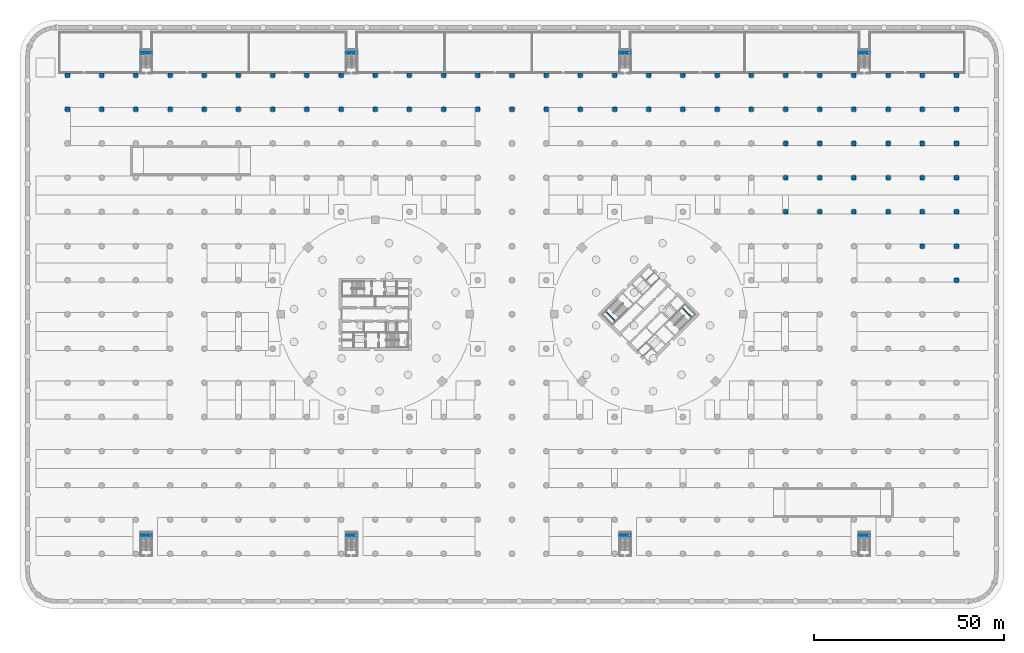
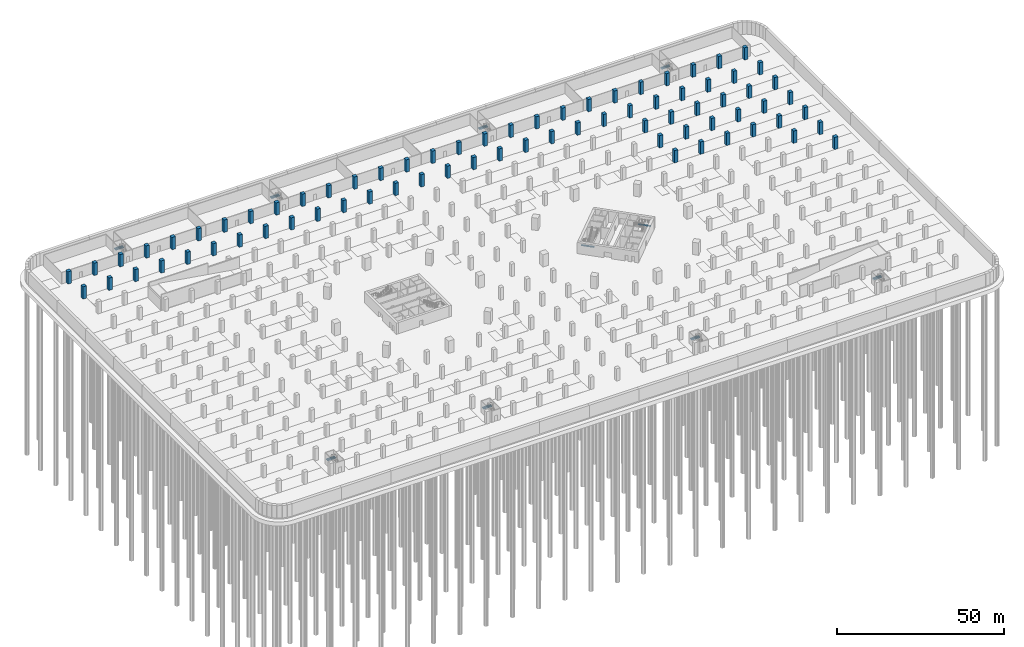
# One storey, part 6 of 39: 75 columns, 18 beams.
"""IFC4 building model written with IfcOpenShell, lengths in metres."""

from ifc_helpers import new_model, si_unit, direction, frame, origin, origin_2d, place, context, subcontext, project, spatial, rectangle, extrude, material, material_profile, profile_set, type_object, element, save


model = new_model("IFC4")

# Units and contexts
model_context = context("Model", 3, precision=1e-05, world=origin(), true_north=direction((0.0, 1.0)))
body_context = subcontext(model_context, "Body", "Model", "MODEL_VIEW")
ifc_project = project(units=[si_unit("LENGTHUNIT", "METRE"), si_unit("AREAUNIT", "SQUARE_METRE"), si_unit("VOLUMEUNIT", "CUBIC_METRE"), si_unit("PLANEANGLEUNIT", "RADIAN"), si_unit("MASSUNIT", "GRAM", prefix="KILO")], contexts=[model_context])

# Site, building, storey
site_placement = place(None, origin())
site = spatial("IfcSite", under=ifc_project, at=site_placement, CompositionType="ELEMENT")
building_placement = place(site_placement, origin())
building = spatial("IfcBuilding", under=site, at=building_placement, Name="Ogive Gate Towers", CompositionType="ELEMENT")
storey_placement = place(building_placement, frame((0.0, 0.0, -9.0)))
storey = spatial("IfcBuildingStorey", under=building, at=storey_placement, Name="B2", CompositionType="ELEMENT", Elevation=-9.0)

# Columns
ifc_material_1 = material(Name="Concrete C50/60", Category="concrete")
ifc_material_profile_1 = material_profile(ifc_material_1, rectangle(XDim=1.199951171875, YDim=1.199951171875, at=origin_2d()), Name="RC 1200x1200")
ifc_profile_set_1 = profile_set([ifc_material_profile_1], Name="Concrete C50/60")
column_type = type_object("IfcColumnType", Name="Column RC 1200x1200", PredefinedType="COLUMN", material=ifc_profile_set_1)
for number, where, z_axis, x_axis, name in (
    (1, (-117.0, 54.0, 0.0), (0.0, 0.0, 1.0), (1.0, 0.0, 0.0), "BS/B2/SCL014"),
    (2, (-117.0, 63.0, 0.0), (0.0, 0.0, 1.0), (1.0, 0.0, 0.0), "BS/B2/SCL015"),
    (3, (-108.0, 54.0, 0.0), (0.0, 0.0, 1.0), (1.0, 0.0, 0.0), "BS/B2/SCL029"),
    (4, (-108.0, 63.0, 0.0), (0.0, 0.0, 1.0), (1.0, 0.0, 0.0), "BS/B2/SCL030"),
    (5, (-99.0, 54.0, 0.0), (0.0, 0.0, 1.0), (1.0, 0.0, 0.0), "BS/B2/SCL044"),
    (6, (-99.0, 63.0, 0.0), (0.0, 0.0, 1.0), (1.0, 0.0, 0.0), "BS/B2/SCL045"),
    (7, (-90.0, 54.0, 0.0), (0.0, 0.0, 1.0), (1.0, 0.0, 0.0), "BS/B2/SCL059"),
    (8, (-90.0, 63.0, 0.0), (0.0, 0.0, 1.0), (1.0, 0.0, 0.0), "BS/B2/SCL060"),
    (9, (-81.0, 54.0, 0.0), (0.0, 0.0, 1.0), (1.0, 0.0, 0.0), "BS/B2/SCL074"),
    (10, (-81.0, 63.0, 0.0), (0.0, 0.0, 1.0), (1.0, 0.0, 0.0), "BS/B2/SCL075"),
    (11, (-72.0, 54.0, 0.0), (0.0, 0.0, 1.0), (1.0, 0.0, 0.0), "BS/B2/SCL089"),
    (12, (-72.0, 63.0, 0.0), (0.0, 0.0, 1.0), (1.0, 0.0, 0.0), "BS/B2/SCL090"),
    (13, (-63.0, 54.0, 0.0), (0.0, 0.0, 1.0), (1.0, 0.0, 0.0), "BS/B2/SCL103"),
    (14, (-63.0, 63.0, 0.0), (0.0, 0.0, 1.0), (1.0, 0.0, 0.0), "BS/B2/SCL104"),
    (15, (-54.0, 54.0, 0.0), (0.0, 0.0, 1.0), (1.0, 0.0, 0.0), "BS/B2/SCL113"),
    (16, (-54.0, 63.0, 0.0), (0.0, 0.0, 1.0), (1.0, 0.0, 0.0), "BS/B2/SCL114"),
    (17, (-45.0, 54.0, 0.0), (0.0, 0.0, 1.0), (1.0, 0.0, 0.0), "BS/B2/SCL123"),
    (18, (-45.0, 63.0, 0.0), (0.0, 0.0, 1.0), (1.0, 0.0, 0.0), "BS/B2/SCL124"),
    (19, (-36.0, 54.0, 0.0), (0.0, 0.0, 1.0), (1.0, 0.0, 0.0), "BS/B2/SCL131"),
    (20, (-36.0, 63.0, 0.0), (0.0, 0.0, 1.0), (1.0, 0.0, 0.0), "BS/B2/SCL132"),
    (21, (-27.0, 54.0, 0.0), (0.0, 0.0, 1.0), (1.0, 0.0, 0.0), "BS/B2/SCL141"),
    (22, (-27.0, 63.0, 0.0), (0.0, 0.0, 1.0), (1.0, 0.0, 0.0), "BS/B2/SCL142"),
    (23, (-18.0, 54.0, 0.0), (0.0, 0.0, 1.0), (1.0, 0.0, 0.0), "BS/B2/SCL151"),
    (24, (-18.0, 63.0, 0.0), (0.0, 0.0, 1.0), (1.0, 0.0, 0.0), "BS/B2/SCL152"),
    (25, (-9.0, 54.0, 0.0), (0.0, 0.0, 1.0), (1.0, 0.0, 0.0), "BS/B2/SCL165"),
    (26, (-9.0, 63.0, 0.0), (0.0, 0.0, 1.0), (1.0, 0.0, 0.0), "BS/B2/SCL166"),
    (27, (0.0, 54.0, 0.0), (0.0, 0.0, 1.0), (1.0, 0.0, 0.0), "BS/B2/SCL180"),
    (28, (0.0, 63.0, 0.0), (0.0, 0.0, 1.0), (1.0, 0.0, 0.0), "BS/B2/SCL181"),
    (29, (9.0, 54.0, 0.0), (0.0, 0.0, 1.0), (1.0, 0.0, 0.0), "BS/B2/SCL194"),
    (30, (9.0, 63.0, 0.0), (0.0, 0.0, 1.0), (1.0, 0.0, 0.0), "BS/B2/SCL195"),
    (31, (18.0, 54.0, 0.0), (0.0, 0.0, 1.0), (1.0, 0.0, 0.0), "BS/B2/SCL204"),
    (32, (18.0, 63.0, 0.0), (0.0, 0.0, 1.0), (1.0, 0.0, 0.0), "BS/B2/SCL205"),
    (33, (27.0, 54.0, 0.0), (0.0, 0.0, 1.0), (1.0, 0.0, 0.0), "BS/B2/SCL214"),
    (34, (27.0, 63.0, 0.0), (0.0, 0.0, 1.0), (1.0, 0.0, 0.0), "BS/B2/SCL215"),
    (35, (36.0, 54.0, 0.0), (0.0, 0.0, 1.0), (1.0, 0.0, 0.0), "BS/B2/SCL222"),
    (36, (36.0, 63.0, 0.0), (0.0, 0.0, 1.0), (1.0, 0.0, 0.0), "BS/B2/SCL223"),
    (37, (45.0, 54.0, 0.0), (0.0, 0.0, 1.0), (1.0, 0.0, 0.0), "BS/B2/SCL232"),
    (38, (45.0, 63.0, 0.0), (0.0, 0.0, 1.0), (1.0, 0.0, 0.0), "BS/B2/SCL233"),
    (39, (54.0, 54.0, 0.0), (0.0, 0.0, 1.0), (1.0, 0.0, 0.0), "BS/B2/SCL242"),
    (40, (54.0, 63.0, 0.0), (0.0, 0.0, 1.0), (1.0, 0.0, 0.0), "BS/B2/SCL243"),
    (41, (63.0, 54.0, 0.0), (0.0, 0.0, 1.0), (1.0, 0.0, 0.0), "BS/B2/SCL256"),
    (42, (63.0, 63.0, 0.0), (0.0, 0.0, 1.0), (1.0, 0.0, 0.0), "BS/B2/SCL257"),
    (43, (72.0, 27.0, 0.0), (0.0, 0.0, 1.0), (1.0, 0.0, 0.0), "BS/B2/SCL268"),
    (44, (72.0, 36.0, 0.0), (0.0, 0.0, 1.0), (1.0, 0.0, 0.0), "BS/B2/SCL269"),
    (45, (72.0, 45.0, 0.0), (0.0, 0.0, 1.0), (1.0, 0.0, 0.0), "BS/B2/SCL270"),
    (46, (72.0, 54.0, 0.0), (0.0, 0.0, 1.0), (1.0, 0.0, 0.0), "BS/B2/SCL271"),
    (47, (72.0, 63.0, 0.0), (0.0, 0.0, 1.0), (1.0, 0.0, 0.0), "BS/B2/SCL272"),
    (48, (81.0, 27.0, 0.0), (0.0, 0.0, 1.0), (1.0, 0.0, 0.0), "BS/B2/SCL283"),
    (49, (81.0, 36.0, 0.0), (0.0, 0.0, 1.0), (1.0, 0.0, 0.0), "BS/B2/SCL284"),
    (50, (81.0, 45.0, 0.0), (0.0, 0.0, 1.0), (1.0, 0.0, 0.0), "BS/B2/SCL285"),
    (51, (81.0, 54.0, 0.0), (0.0, 0.0, 1.0), (1.0, 0.0, 0.0), "BS/B2/SCL286"),
    (52, (81.0, 63.0, 0.0), (0.0, 0.0, 1.0), (1.0, 0.0, 0.0), "BS/B2/SCL287"),
    (53, (90.0, 27.0, 0.0), (0.0, 0.0, 1.0), (1.0, 0.0, 0.0), "BS/B2/SCL298"),
    (54, (90.0, 36.0, 0.0), (0.0, 0.0, 1.0), (1.0, 0.0, 0.0), "BS/B2/SCL299"),
    (55, (90.0, 45.0, 0.0), (0.0, 0.0, 1.0), (1.0, 0.0, 0.0), "BS/B2/SCL300"),
    (56, (90.0, 54.0, 0.0), (0.0, 0.0, 1.0), (1.0, 0.0, 0.0), "BS/B2/SCL301"),
    (57, (90.0, 63.0, 0.0), (0.0, 0.0, 1.0), (1.0, 0.0, 0.0), "BS/B2/SCL302"),
    (58, (99.0, 27.0, 0.0), (0.0, 0.0, 1.0), (1.0, 0.0, 0.0), "BS/B2/SCL313"),
    (59, (99.0, 36.0, 0.0), (0.0, 0.0, 1.0), (1.0, 0.0, 0.0), "BS/B2/SCL314"),
    (60, (99.0, 45.0, 0.0), (0.0, 0.0, 1.0), (1.0, 0.0, 0.0), "BS/B2/SCL315"),
    (61, (99.0, 54.0, 0.0), (0.0, 0.0, 1.0), (1.0, 0.0, 0.0), "BS/B2/SCL316"),
    (62, (99.0, 63.0, 0.0), (0.0, 0.0, 1.0), (1.0, 0.0, 0.0), "BS/B2/SCL317"),
    (63, (108.0, 18.0, 0.0), (0.0, 0.0, 1.0), (1.0, 0.0, 0.0), "BS/B2/SCL327"),
    (64, (108.0, 27.0, 0.0), (0.0, 0.0, 1.0), (1.0, 0.0, 0.0), "BS/B2/SCL328"),
    (65, (108.0, 36.0, 0.0), (0.0, 0.0, 1.0), (1.0, 0.0, 0.0), "BS/B2/SCL329"),
    (66, (108.0, 45.0, 0.0), (0.0, 0.0, 1.0), (1.0, 0.0, 0.0), "BS/B2/SCL330"),
    (67, (108.0, 54.0, 0.0), (0.0, 0.0, 1.0), (1.0, 0.0, 0.0), "BS/B2/SCL331"),
    (68, (108.0, 63.0, 0.0), (0.0, 0.0, 1.0), (1.0, 0.0, 0.0), "BS/B2/SCL332"),
    (69, (117.0, 9.0, 0.0), (0.0, 0.0, 1.0), (1.0, 0.0, 0.0), "BS/B2/SCL341"),
    (70, (117.0, 18.0, 0.0), (0.0, 0.0, 1.0), (1.0, 0.0, 0.0), "BS/B2/SCL342"),
    (71, (117.0, 27.0, 0.0), (0.0, 0.0, 1.0), (1.0, 0.0, 0.0), "BS/B2/SCL343"),
    (72, (117.0, 36.0, 0.0), (0.0, 0.0, 1.0), (1.0, 0.0, 0.0), "BS/B2/SCL344"),
    (73, (117.0, 45.0, 0.0), (0.0, 0.0, 1.0), (1.0, 0.0, 0.0), "BS/B2/SCL345"),
    (74, (117.0, 54.0, 0.0), (0.0, 0.0, 1.0), (1.0, 0.0, 0.0), "BS/B2/SCL346"),
    (75, (117.0, 63.0, 0.0), (0.0, 0.0, 1.0), (1.0, 0.0, 0.0), "BS/B2/SCL347"),
):
    element("IfcColumn", number, at=place(storey_placement, frame(where, z_axis=z_axis, x_axis=x_axis)), inside=storey, type_object=column_type, Name=name, PredefinedType="COLUMN", context=body_context, shape_type="SweptSolid", body=[
        extrude(rectangle(XDim=1.199951171875, YDim=1.199951171875, at=origin_2d()), origin(), (0.0, 0.0, 1.0), 4.5),
    ])

# Beams
ifc_material_2 = material(Name="Concrete C40/50", Category="concrete")
ifc_material_profile_2 = material_profile(ifc_material_2, rectangle(XDim=0.25, YDim=0.300048828125, at=origin_2d()), Name="RC 250x300")
ifc_profile_set_2 = profile_set([ifc_material_profile_2], Name="Concrete C40/50")
beam_type_1 = type_object("IfcBeamType", Name="Landing bearer RC 250x300", PredefinedType="BEAM", material=ifc_profile_set_2)
for number, where, z_axis, x_axis, name in (
    (76, (24.5712890625, 0.875, 1.89990234375), (0.707138693938, -0.707074866995, 0.0), (0.707074866995, 0.707138693938, 0.0), "T2 B2 stair 1 landing bearer 1"),
    (77, (47.4287109375, -0.875, 1.89990234375), (-0.707138693938, 0.707074866995, 0.0), (-0.707074866995, -0.707138693938, 0.0), "T2 B2 stair 2 landing bearer 1"),
):
    element("IfcBeam", number, at=place(storey_placement, frame(where, z_axis=z_axis, x_axis=x_axis)), inside=storey, type_object=beam_type_1, Name=name, PredefinedType="BEAM", context=body_context, shape_type="SweptSolid", body=[
        extrude(rectangle(XDim=0.25, YDim=0.300048828125, at=origin_2d()), origin(), (0.0, 0.0, 1.0), 3.824951171875),
    ])
ifc_material_profile_3 = material_profile(ifc_material_2, rectangle(XDim=0.25, YDim=0.300048828125, at=origin_2d()), Name="RC 250x300")
ifc_profile_set_3 = profile_set([ifc_material_profile_3], Name="Concrete C40/50")
beam_type_2 = type_object("IfcBeamType", Name="Landing bearer RC 250x300 (stair)", PredefinedType="BEAM", material=ifc_profile_set_3)
for number, where, z_axis, x_axis, name in (
    (78, (-94.85009765625, 68.56005859375, 1.89990234375), (-1.0, 0.0, 0.0), (0.0, -1.0, 0.0), "CS1 B2 landing 1 bearer 1"),
    (79, (-94.85009765625, 69.159912109375, 1.89990234375), (-1.0, 0.0, 0.0), (0.0, -1.0, 0.0), "CS1 B2 landing 1 bearer 2"),
    (80, (-40.85009765625, 68.56005859375, 1.89990234375), (-1.0, 0.0, 0.0), (0.0, -1.0, 0.0), "CS2 B2 landing 1 bearer 1"),
    (81, (-40.85009765625, 69.159912109375, 1.89990234375), (-1.0, 0.0, 0.0), (0.0, -1.0, 0.0), "CS2 B2 landing 1 bearer 2"),
    (82, (31.14990234375, 68.56005859375, 1.89990234375), (-1.0, 0.0, 0.0), (0.0, -1.0, 0.0), "CS3 B2 landing 1 bearer 1"),
    (83, (31.14990234375, 69.159912109375, 1.89990234375), (-1.0, 0.0, 0.0), (0.0, -1.0, 0.0), "CS3 B2 landing 1 bearer 2"),
    (84, (94.14990234375, 68.56005859375, 1.89990234375), (-1.0, 0.0, 0.0), (0.0, -1.0, 0.0), "CS4 B2 landing 1 bearer 1"),
    (85, (94.14990234375, 69.159912109375, 1.89990234375), (-1.0, 0.0, 0.0), (0.0, -1.0, 0.0), "CS4 B2 landing 1 bearer 2"),
    (86, (-94.85009765625, -58.43994140625, 1.89990234375), (-1.0, 0.0, 0.0), (0.0, -1.0, 0.0), "CS5 B2 landing 1 bearer 1"),
    (87, (-94.85009765625, -57.840087890625, 1.89990234375), (-1.0, 0.0, 0.0), (0.0, -1.0, 0.0), "CS5 B2 landing 1 bearer 2"),
    (88, (-40.85009765625, -58.43994140625, 1.89990234375), (-1.0, 0.0, 0.0), (0.0, -1.0, 0.0), "CS6 B2 landing 1 bearer 1"),
    (89, (-40.85009765625, -57.840087890625, 1.89990234375), (-1.0, 0.0, 0.0), (0.0, -1.0, 0.0), "CS6 B2 landing 1 bearer 2"),
    (90, (31.14990234375, -58.43994140625, 1.89990234375), (-1.0, 0.0, 0.0), (0.0, -1.0, 0.0), "CS7 B2 landing 1 bearer 1"),
    (91, (31.14990234375, -57.840087890625, 1.89990234375), (-1.0, 0.0, 0.0), (0.0, -1.0, 0.0), "CS7 B2 landing 1 bearer 2"),
    (92, (94.14990234375, -58.43994140625, 1.89990234375), (-1.0, 0.0, 0.0), (0.0, -1.0, 0.0), "CS8 B2 landing 1 bearer 1"),
    (93, (94.14990234375, -57.840087890625, 1.89990234375), (-1.0, 0.0, 0.0), (0.0, -1.0, 0.0), "CS8 B2 landing 1 bearer 2"),
):
    element("IfcBeam", number, at=place(storey_placement, frame(where, z_axis=z_axis, x_axis=x_axis)), inside=storey, type_object=beam_type_2, Name=name, PredefinedType="BEAM", context=body_context, shape_type="SweptSolid", body=[
        extrude(rectangle(XDim=0.25, YDim=0.300048828125, at=origin_2d()), origin(), (0.0, 0.0, 1.0), 2.75),
    ])

save(model, "model.ifc")
